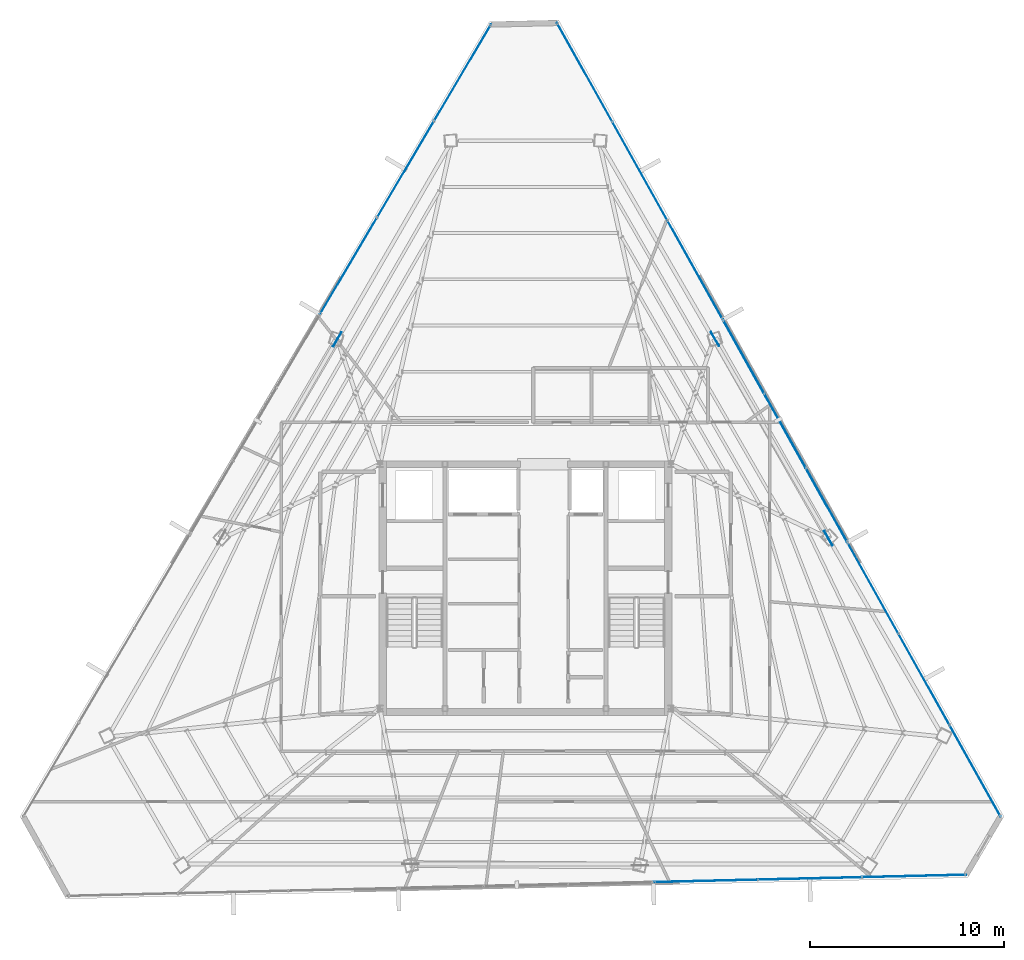
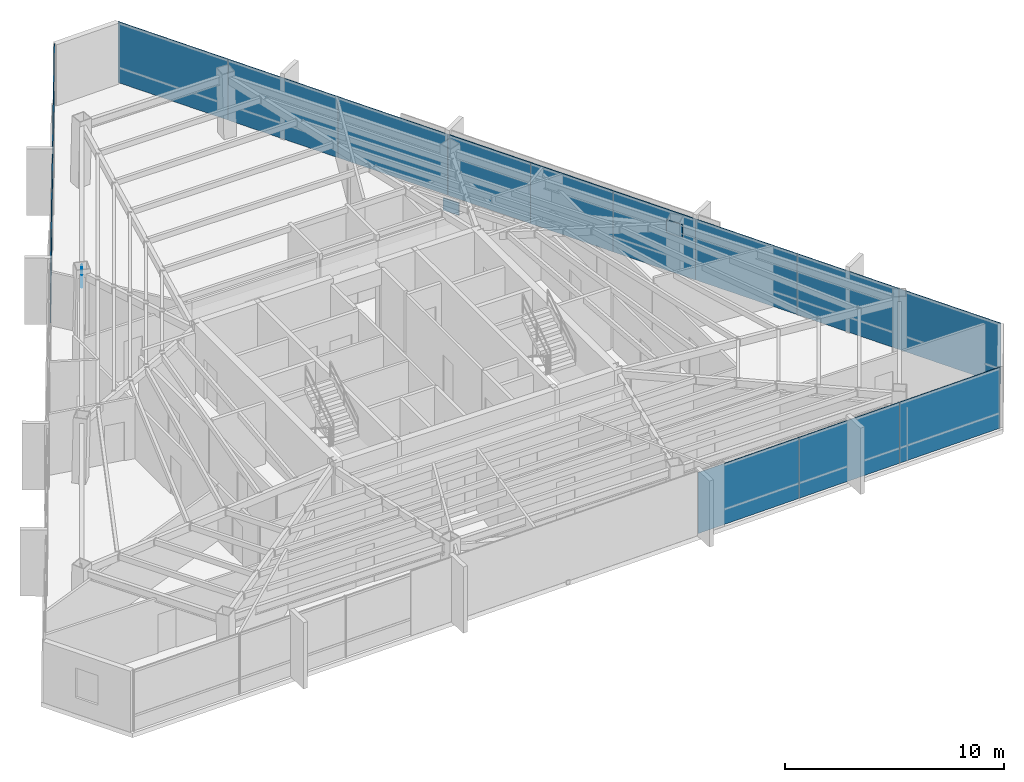
# One storey, part 37 of 47: 18 plates, 5 elements without a shape of their own.
"""IFC4 building model written with IfcOpenShell, lengths in metres."""

from ifc_helpers import new_model, si_unit, direction, frame, origin, origin_2d, place, context, subcontext, project, spatial, rectangle, extrude, source, transform, mapped, material, layer, layer_set, type_object, type_shapes, element, aggregate, save


model = new_model("IFC4")

# Units and contexts
model_context = context("Model", 3, precision=1e-05, world=origin(), true_north=direction((0.0, 1.0)))
body_context = subcontext(model_context, "Body", "Model", "MODEL_VIEW")
ifc_project = project(units=[si_unit("LENGTHUNIT", "METRE"), si_unit("AREAUNIT", "SQUARE_METRE"), si_unit("VOLUMEUNIT", "CUBIC_METRE"), si_unit("PLANEANGLEUNIT", "RADIAN"), si_unit("MASSUNIT", "GRAM", prefix="KILO")], contexts=[model_context])

# Site, building, storey
site_placement = place(None, origin())
site = spatial("IfcSite", under=ifc_project, at=site_placement, CompositionType="ELEMENT")
building_placement = place(site_placement, origin())
building = spatial("IfcBuilding", under=site, at=building_placement, Name="Caelisora Broadcast Tower", CompositionType="ELEMENT")
storey_placement = place(building_placement, frame((0.0, 0.0, 255.39990234375)))
storey = spatial("IfcBuildingStorey", under=building, at=storey_placement, Name="L67", CompositionType="ELEMENT", Elevation=255.39990234375)

# Plates
ifc_material_1 = material(Name="Steel Grade 350 L15 (AS/NZS 3678)", Category="steel")
ifc_layer_1 = layer(ifc_material_1, 0.0400390625, Name="Steel Grade 350 L15 (AS/NZS 3678)")
ifc_layer_set_1 = layer_set([ifc_layer_1], Name="Steel Grade 350 L15 (AS/NZS 3678)")
plate_type_1 = type_object("IfcPlateType", Name="GP04", PredefinedType="USERDEFINED", material=ifc_layer_set_1)
shared_shape_1 = source(origin(), body_context, "Body", "SweptSolid", [
    extrude(rectangle(XDim=0.85009765625, YDim=0.0400390625, at=origin_2d()), origin(), (0.0, 0.0, 1.0), 0.699951171875),
])
type_shapes(plate_type_1, [shared_shape_1])
for number, where, z_axis, x_axis, name in (
    (1, (28.30078125, 36.431640625, 2.72998046875), (0.0, 0.0, 1.0), (-0.5, -0.866025403784, 0.0), "L67 gusset plate GP04 (ND-L67-C02T)"),
    (2, (53.61572265625, 26.183837890625, 2.72998046875), (0.0, 0.0, 1.0), (-0.5, 0.866025403784, 0.0), "L67 gusset plate GP04 (ND-L67-C10T)"),
    (3, (47.77001953125, 36.45361328125, -0.22998046875), (0.0, 0.0, 1.0), (-0.5, 0.866025403784, 0.0), "L67 gusset plate GP04 (ND-L67-C11B)"),
):
    element("IfcPlate", number, at=place(storey_placement, frame(where, z_axis=z_axis, x_axis=x_axis)), inside=storey, type_object=plate_type_1, Name=name, ObjectType="GUSSET PLATE", PredefinedType="USERDEFINED", context=body_context, shape_type="MappedRepresentation", body=[
        mapped(shared_shape_1, transform((0.0, 0.0, 0.0), scale=1.0)),
    ])

# Curtain wall, plates
ifc_material_2 = material(Name="Unitised Aluminium and Low-E Glass Curtain Wall", Category="glass")
curtain_wall_type_1 = type_object("IfcCurtainWallType", Name="CW-Z5", PredefinedType="NOTDEFINED", material=ifc_material_2)
curtain_wall_1_placement = place(storey_placement, origin())
curtain_wall_1 = element("IfcCurtainWall", 4, at=curtain_wall_1_placement, inside=storey, type_object=curtain_wall_type_1, Name="L67 curtain wall CW-Z5", PredefinedType="NOTDEFINED")
ifc_material_3 = material(Name="Double Glazed Low-E Argon IGU", Category="glass")
ifc_layer_2 = layer(ifc_material_3, 0.028076171875, Name="Double Glazed Low-E Argon IGU")
ifc_layer_set_2 = layer_set([ifc_layer_2], Name="Double Glazed Low-E Argon IGU")
plate_type_2 = type_object("IfcPlateType", Name="CWP-06", PredefinedType="CURTAIN_PANEL", material=ifc_layer_set_2)
shared_shape_2 = source(origin(), body_context, "Body", "SweptSolid", [
    extrude(rectangle(XDim=5.837646484375, YDim=0.028076171875, at=origin_2d()), origin(), (0.0, 0.0, 1.0), 3.39990234375),
])
plate_1_placement = place(storey_placement, frame((41.05224609375, 50.197265625, 0.000244140625), z_axis=(0.0, 0.0, 1.0), x_axis=(0.488012005351, -0.872836916401, 0.0)))
plate_1 = element("IfcPlate", 5, at=plate_1_placement, type_object=plate_type_2, Name="L67-CW-B01 glazed panel #1", PredefinedType="CURTAIN_PANEL", context=body_context, shape_type="MappedRepresentation", body=[
    mapped(shared_shape_2, transform((0.0, 0.0, 0.0), scale=1.0)),
])
plate_2_placement = place(storey_placement, frame((43.900634765625, 45.1015625, 0.000244140625), z_axis=(0.0, 0.0, 1.0), x_axis=(0.488012005351, -0.872836916401, 0.0)))
plate_2 = element("IfcPlate", 6, at=plate_2_placement, type_object=plate_type_2, Name="L67-CW-B01 glazed panel #2", PredefinedType="CURTAIN_PANEL", context=body_context, shape_type="MappedRepresentation", body=[
    mapped(shared_shape_2, transform((0.0, 0.0, 0.0), scale=1.0)),
])
plate_3_placement = place(storey_placement, frame((46.7490234375, 40.005859375, 0.000244140625), z_axis=(0.0, 0.0, 1.0), x_axis=(0.488012005351, -0.872836916401, 0.0)))
plate_3 = element("IfcPlate", 7, at=plate_3_placement, type_object=plate_type_2, Name="L67-CW-B01 glazed panel #3", PredefinedType="CURTAIN_PANEL", context=body_context, shape_type="MappedRepresentation", body=[
    mapped(shared_shape_2, transform((0.0, 0.0, 0.0), scale=1.0)),
])
aggregate(curtain_wall_1, [plate_1, plate_2, plate_3])

ifc_material_4 = material(Name="Unitised Aluminium Insulated Shadow-Box Spandrel Curtain Wall", Category="aluminium")
curtain_wall_type_2 = type_object("IfcCurtainWallType", Name="CW-SP3", PredefinedType="NOTDEFINED", material=ifc_material_4)
curtain_wall_2_placement = place(storey_placement, origin())
curtain_wall_2 = element("IfcCurtainWall", 8, at=curtain_wall_2_placement, inside=storey, type_object=curtain_wall_type_2, Name="L67 curtain wall CW-SP3", PredefinedType="NOTDEFINED")
ifc_material_5 = material(Name="Insulated Terracotta Shadow-Box Spandrel Panel", Category="aluminium")
ifc_layer_3 = layer(ifc_material_5, 0.0439453125, Name="Insulated Terracotta Shadow-Box Spandrel Panel")
ifc_layer_set_3 = layer_set([ifc_layer_3], Name="Insulated Terracotta Shadow-Box Spandrel Panel")
plate_type_3 = type_object("IfcPlateType", Name="CWP-10", PredefinedType="CURTAIN_PANEL", material=ifc_layer_set_3)
shared_shape_3 = source(origin(), body_context, "Body", "SweptSolid", [
    extrude(rectangle(XDim=4.379638671875, YDim=0.0439453125, at=origin_2d()), origin(), (0.0, 0.0, 1.0), 3.39990234375),
])
type_shapes(plate_type_3, [shared_shape_3])
plate_4_placement = place(storey_placement, frame((49.246826171875, 35.537841796875, 0.000244140625), z_axis=(0.0, 0.0, 1.0), x_axis=(0.488012005351, -0.872836916401, 0.0)))
plate_4 = element("IfcPlate", 9, at=plate_4_placement, type_object=plate_type_3, Name="L67-CW-B02 spandrel panel #1", PredefinedType="CURTAIN_PANEL", context=body_context, shape_type="MappedRepresentation", body=[
    mapped(shared_shape_3, transform((0.0, 0.0, 0.0), scale=1.0)),
])
plate_5_placement = place(storey_placement, frame((51.3837890625, 31.715087890625, 0.000244140625), z_axis=(0.0, 0.0, 1.0), x_axis=(0.488012005351, -0.872836916401, 0.0)))
plate_5 = element("IfcPlate", 10, at=plate_5_placement, type_object=plate_type_3, Name="L67-CW-B02 spandrel panel #2", PredefinedType="CURTAIN_PANEL", context=body_context, shape_type="MappedRepresentation", body=[
    mapped(shared_shape_3, transform((0.0, 0.0, 0.0), scale=1.0)),
])
plate_6_placement = place(storey_placement, frame((53.520751953125, 27.89208984375, 0.000244140625), z_axis=(0.0, 0.0, 1.0), x_axis=(0.488012005351, -0.872836916401, 0.0)))
plate_6 = element("IfcPlate", 11, at=plate_6_placement, type_object=plate_type_3, Name="L67-CW-B02 spandrel panel #3", PredefinedType="CURTAIN_PANEL", context=body_context, shape_type="MappedRepresentation", body=[
    mapped(shared_shape_3, transform((0.0, 0.0, 0.0), scale=1.0)),
])
aggregate(curtain_wall_2, [plate_4, plate_5, plate_6])

curtain_wall_3_placement = place(storey_placement, origin())
curtain_wall_3 = element("IfcCurtainWall", 12, at=curtain_wall_3_placement, inside=storey, type_object=curtain_wall_type_1, Name="L67 curtain wall CW-Z5", PredefinedType="NOTDEFINED")
shared_shape_4 = source(origin(), body_context, "Body", "SweptSolid", [
    extrude(rectangle(XDim=5.3974609375, YDim=0.028076171875, at=origin_2d()), origin(), (0.0, 0.0, 1.0), 3.39990234375),
])
plate_7_placement = place(storey_placement, frame((55.910888671875, 23.6162109375, 0.000244140625), z_axis=(0.0, 0.0, 1.0), x_axis=(0.488012005351, -0.872836916401, 0.0)))
plate_7 = element("IfcPlate", 13, at=plate_7_placement, type_object=plate_type_2, Name="L67-CW-B03 glazed panel #1", PredefinedType="CURTAIN_PANEL", context=body_context, shape_type="MappedRepresentation", body=[
    mapped(shared_shape_4, transform((0.0, 0.0, 0.0), scale=1.0)),
])
plate_8_placement = place(storey_placement, frame((58.544677734375, 18.90478515625, 0.000244140625), z_axis=(0.0, 0.0, 1.0), x_axis=(0.488012005351, -0.872836916401, 0.0)))
plate_8 = element("IfcPlate", 14, at=plate_8_placement, type_object=plate_type_2, Name="L67-CW-B03 glazed panel #2", PredefinedType="CURTAIN_PANEL", context=body_context, shape_type="MappedRepresentation", body=[
    mapped(shared_shape_4, transform((0.0, 0.0, 0.0), scale=1.0)),
])
plate_9_placement = place(storey_placement, frame((61.17822265625, 14.193603515625, 0.000244140625), z_axis=(0.0, 0.0, 1.0), x_axis=(0.488012005351, -0.872836916401, 0.0)))
plate_9 = element("IfcPlate", 15, at=plate_9_placement, type_object=plate_type_2, Name="L67-CW-B03 glazed panel #3", PredefinedType="CURTAIN_PANEL", context=body_context, shape_type="MappedRepresentation", body=[
    mapped(shared_shape_4, transform((0.0, 0.0, 0.0), scale=1.0)),
])
aggregate(curtain_wall_3, [plate_7, plate_8, plate_9])

curtain_wall_4_placement = place(storey_placement, origin())
curtain_wall_4 = element("IfcCurtainWall", 16, at=curtain_wall_4_placement, inside=storey, type_object=curtain_wall_type_1, Name="L67 curtain wall CW-Z5", PredefinedType="NOTDEFINED")
shared_shape_5 = source(origin(), body_context, "Body", "SweptSolid", [
    extrude(rectangle(XDim=5.37451171875, YDim=0.028076171875, at=origin_2d()), origin(), (0.0, 0.0, 1.0), 3.39990234375),
])
plate_10_placement = place(storey_placement, frame((58.033447265625, 8.767578125, 0.000244140625), z_axis=(0.0, 0.0, 1.0), x_axis=(-0.999722430218, -0.023559764834, 0.0)))
plate_10 = element("IfcPlate", 17, at=plate_10_placement, type_object=plate_type_2, Name="L67-CW-B05 glazed panel #1", PredefinedType="CURTAIN_PANEL", context=body_context, shape_type="MappedRepresentation", body=[
    mapped(shared_shape_5, transform((0.0, 0.0, 0.0), scale=1.0)),
])
plate_11_placement = place(storey_placement, frame((52.660400390625, 8.640625, 0.000244140625), z_axis=(0.0, 0.0, 1.0), x_axis=(-0.999722430218, -0.023559764834, 0.0)))
plate_11 = element("IfcPlate", 18, at=plate_11_placement, type_object=plate_type_2, Name="L67-CW-B05 glazed panel #2", PredefinedType="CURTAIN_PANEL", context=body_context, shape_type="MappedRepresentation", body=[
    mapped(shared_shape_5, transform((0.0, 0.0, 0.0), scale=1.0)),
])
plate_12_placement = place(storey_placement, frame((47.287109375, 8.513671875, 0.000244140625), z_axis=(0.0, 0.0, 1.0), x_axis=(-0.999722430218, -0.023559764834, 0.0)))
plate_12 = element("IfcPlate", 19, at=plate_12_placement, type_object=plate_type_2, Name="L67-CW-B05 glazed panel #3", PredefinedType="CURTAIN_PANEL", context=body_context, shape_type="MappedRepresentation", body=[
    mapped(shared_shape_5, transform((0.0, 0.0, 0.0), scale=1.0)),
])
aggregate(curtain_wall_4, [plate_10, plate_11, plate_12])

curtain_wall_5_placement = place(storey_placement, origin())
curtain_wall_5 = element("IfcCurtainWall", 20, at=curtain_wall_5_placement, inside=storey, type_object=curtain_wall_type_1, Name="L67 curtain wall CW-Z5", PredefinedType="NOTDEFINED")
shared_shape_6 = source(origin(), body_context, "Body", "SweptSolid", [
    extrude(rectangle(XDim=5.781494140625, YDim=0.028076171875, at=origin_2d()), origin(), (0.0, 0.0, 1.0), 3.39990234375),
])
type_shapes(plate_type_2, [shared_shape_2, shared_shape_4, shared_shape_5, shared_shape_6])
plate_13_placement = place(storey_placement, frame((28.877197265625, 40.21826171875, 0.000244140625), z_axis=(0.0, 0.0, 1.0), x_axis=(0.508440380454, 0.861097195167, 0.0)))
plate_13 = element("IfcPlate", 21, at=plate_13_placement, type_object=plate_type_2, Name="L67-CW-B11 glazed panel #1", PredefinedType="CURTAIN_PANEL", context=body_context, shape_type="MappedRepresentation", body=[
    mapped(shared_shape_6, transform((0.0, 0.0, 0.0), scale=1.0)),
])
plate_14_placement = place(storey_placement, frame((31.816650390625, 45.196533203125, 0.000244140625), z_axis=(0.0, 0.0, 1.0), x_axis=(0.508440380454, 0.861097195167, 0.0)))
plate_14 = element("IfcPlate", 22, at=plate_14_placement, type_object=plate_type_2, Name="L67-CW-B11 glazed panel #2", PredefinedType="CURTAIN_PANEL", context=body_context, shape_type="MappedRepresentation", body=[
    mapped(shared_shape_6, transform((0.0, 0.0, 0.0), scale=1.0)),
])
plate_15_placement = place(storey_placement, frame((34.756103515625, 50.1748046875, 0.000244140625), z_axis=(0.0, 0.0, 1.0), x_axis=(0.508440380454, 0.861097195167, 0.0)))
plate_15 = element("IfcPlate", 23, at=plate_15_placement, type_object=plate_type_2, Name="L67-CW-B11 glazed panel #3", PredefinedType="CURTAIN_PANEL", context=body_context, shape_type="MappedRepresentation", body=[
    mapped(shared_shape_6, transform((0.0, 0.0, 0.0), scale=1.0)),
])
aggregate(curtain_wall_5, [plate_13, plate_14, plate_15])

save(model, "model.ifc")
